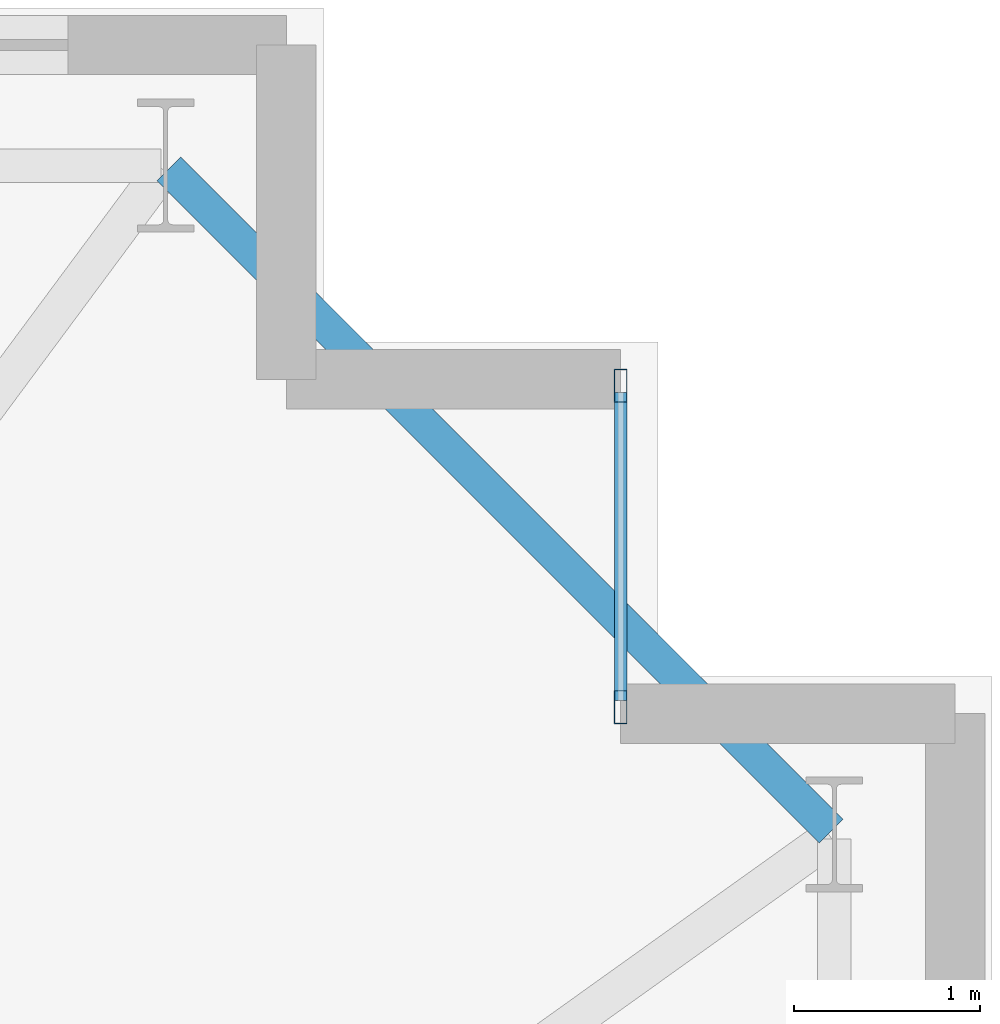
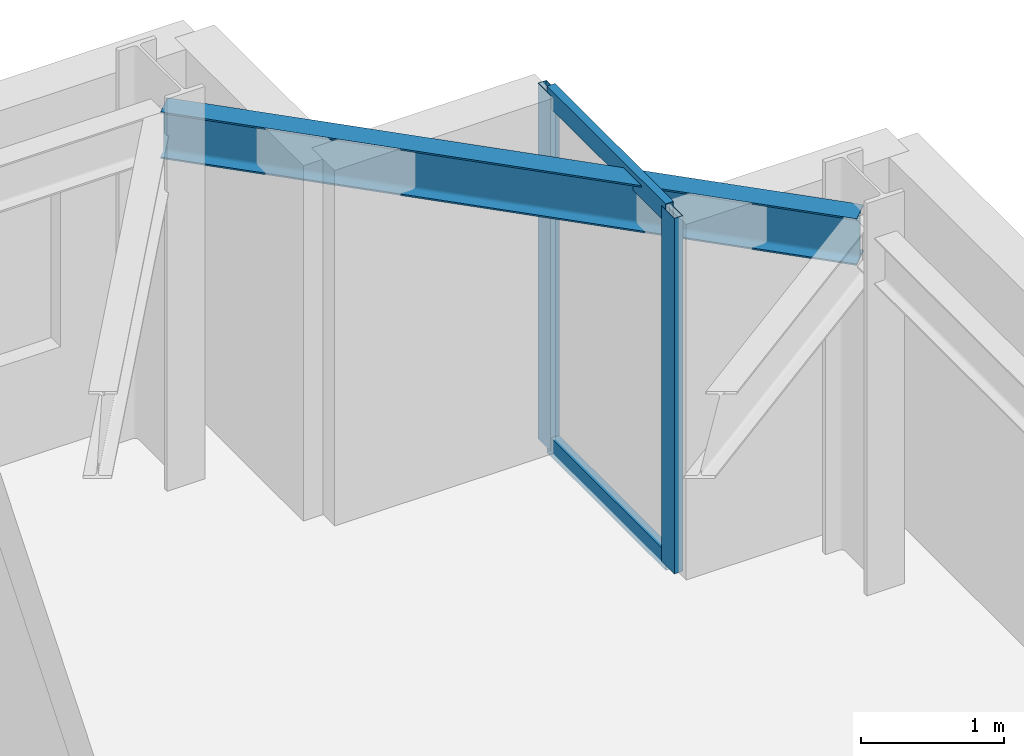
# One storey, part 12 of 21: 4 members, 1 beam, 1 element without a shape of its own.
"""IFC4 building model written with IfcOpenShell, lengths in metres."""

from ifc_helpers import new_model, si_unit, direction, frame, origin, origin_2d, place, context, subcontext, project, spatial, hollow_rectangle, i_section, extrude, material, layer, layer_set, material_profile, profile_set, type_object, element, aggregate, save


model = new_model("IFC4")

# Units and contexts
model_context = context("Model", 3, precision=1e-05, world=origin(), true_north=direction((0.0, 1.0)))
body_context = subcontext(model_context, "Body", "Model", "MODEL_VIEW")
ifc_project = project(units=[si_unit("LENGTHUNIT", "METRE"), si_unit("AREAUNIT", "SQUARE_METRE"), si_unit("VOLUMEUNIT", "CUBIC_METRE"), si_unit("PLANEANGLEUNIT", "RADIAN"), si_unit("MASSUNIT", "GRAM", prefix="KILO")], contexts=[model_context])

# Site, building, storey
site_placement = place(None, origin())
site = spatial("IfcSite", under=ifc_project, at=site_placement, CompositionType="ELEMENT")
building_placement = place(site_placement, origin())
building = spatial("IfcBuilding", under=site, at=building_placement, Name="Qobustan Lattice House", CompositionType="ELEMENT")
storey_placement = place(building_placement, frame((0.0, 0.0, 37.050048828125)))
storey = spatial("IfcBuildingStorey", under=building, at=storey_placement, Name="L09", CompositionType="ELEMENT", Elevation=37.050048828125)

# Beam
ifc_material_1 = material(Name="Steel S355", Category="steel")
ifc_material_profile_1 = material_profile(ifc_material_1, i_section(OverallWidth=0.179931640625, OverallDepth=0.39990234375, WebThickness=0.008544921875, FlangeThickness=0.013427734375, FilletRadius=0.02099609375, at=origin_2d()), Name="IPE400")
ifc_profile_set_1 = profile_set([ifc_material_profile_1], Name="Steel S355")
beam_type = type_object("IfcBeamType", Name="BM-SPD-IPE400", PredefinedType="SPANDREL", material=ifc_profile_set_1)
beam_placement = place(storey_placement, frame((32.13232421875, 15.167724609375, 2.8349609375), z_axis=(-0.707106781187, 0.707106781187, 0.0), x_axis=(-0.707106781187, -0.707106781187, 0.0)))
element("IfcBeam", 1, at=beam_placement, inside=storey, type_object=beam_type, Name="L09 perimeter spandrel E4-N1", PredefinedType="SPANDREL", context=body_context, shape_type="SweptSolid", body=[
    extrude(i_section(OverallWidth=0.179931640625, OverallDepth=0.39990234375, WebThickness=0.008544921875, FlangeThickness=0.013427734375, FilletRadius=0.02099609375, at=origin_2d()), origin(), (0.0, 0.0, 1.0), 5.041259765625),
])

# Curtain wall, members
ifc_material_2 = material(Name="Anodised aluminium and low-E glazing", Category="aluminium")
ifc_layer = layer(ifc_material_2, 0.219970703125)
ifc_layer_set = layer_set([ifc_layer], Name="Anodised aluminium and low-E glazing")
curtain_wall_type = type_object("IfcCurtainWallType", Name="CW-FAC-01", PredefinedType="USERDEFINED", material=ifc_layer_set)
curtain_wall_placement = place(storey_placement, origin())
curtain_wall = element("IfcCurtainWall", 2, at=curtain_wall_placement, inside=storey, type_object=curtain_wall_type, Name="L09 serrated corner faceted glazing 13", ObjectType="CURTAIN WALL", PredefinedType="USERDEFINED")
ifc_material_3 = material(Name="Anodised aluminium EN AW-6063 T6", Category="aluminium")
ifc_material_profile_2 = material_profile(ifc_material_3, hollow_rectangle(XDim=0.070068359375, YDim=0.179931640625, WallThickness=0.00439453125, at=origin_2d()), Name="CWM-180x70")
ifc_profile_set_2 = profile_set([ifc_material_profile_2], Name="Anodised aluminium EN AW-6063 T6")
member_type_1 = type_object("IfcMemberType", Name="CWM-STD-180", PredefinedType="MULLION", material=ifc_profile_set_2)
member_1_placement = place(storey_placement, frame((31.0, 17.56494140625, 0.0), z_axis=(0.0, 0.0, 1.0), x_axis=(1.0, 0.0, 0.0)))
member_1 = element("IfcMember", 3, at=member_1_placement, type_object=member_type_1, Name="CW-F1 mullion 1", PredefinedType="MULLION", context=body_context, shape_type="SweptSolid", body=[
    extrude(hollow_rectangle(XDim=0.070068359375, YDim=0.179931640625, WallThickness=0.00439453125, at=origin_2d()), origin(), (0.0, 0.0, 1.0), 3.034912109375),
])
member_2_placement = place(storey_placement, frame((31.0, 15.8349609375, 0.0), z_axis=(0.0, 0.0, 1.0), x_axis=(1.0, 0.0, 0.0)))
member_2 = element("IfcMember", 4, at=member_2_placement, type_object=member_type_1, Name="CW-F1 mullion 2", PredefinedType="MULLION", context=body_context, shape_type="SweptSolid", body=[
    extrude(hollow_rectangle(XDim=0.070068359375, YDim=0.179931640625, WallThickness=0.00439453125, at=origin_2d()), origin(), (0.0, 0.0, 1.0), 3.034912109375),
])
ifc_material_4 = material(Name="Anodised aluminium EN AW-6063 T6", Category="aluminium")
ifc_material_profile_3 = material_profile(ifc_material_4, hollow_rectangle(XDim=0.06494140625, YDim=0.159912109375, WallThickness=0.00390625, at=origin_2d()), Name="CWT-160x65")
ifc_profile_set_3 = profile_set([ifc_material_profile_3], Name="Anodised aluminium EN AW-6063 T6")
member_type_2 = type_object("IfcMemberType", Name="CWT-HOR-160", PredefinedType="USERDEFINED", material=ifc_profile_set_3)
member_3_placement = place(storey_placement, frame((31.0, 17.530029296875, 0.032470703125), z_axis=(0.0, -1.0, 0.0), x_axis=(1.0, 0.0, 0.0)))
member_3 = element("IfcMember", 5, at=member_3_placement, type_object=member_type_2, Name="CW-F1 transom 1.1", ObjectType="TRANSOM", PredefinedType="USERDEFINED", context=body_context, shape_type="SweptSolid", body=[
    extrude(hollow_rectangle(XDim=0.06494140625, YDim=0.159912109375, WallThickness=0.00390625, at=origin_2d()), origin(), (0.0, 0.0, 1.0), 1.659912109375),
])
member_4_placement = place(storey_placement, frame((31.0, 17.530029296875, 3.00244140625), z_axis=(0.0, -1.0, 0.0), x_axis=(1.0, 0.0, 0.0)))
member_4 = element("IfcMember", 6, at=member_4_placement, type_object=member_type_2, Name="CW-F1 transom 1.2", ObjectType="TRANSOM", PredefinedType="USERDEFINED", context=body_context, shape_type="SweptSolid", body=[
    extrude(hollow_rectangle(XDim=0.06494140625, YDim=0.159912109375, WallThickness=0.00390625, at=origin_2d()), origin(), (0.0, 0.0, 1.0), 1.659912109375),
])
aggregate(curtain_wall, [member_1, member_2, member_3, member_4])

save(model, "model.ifc")
